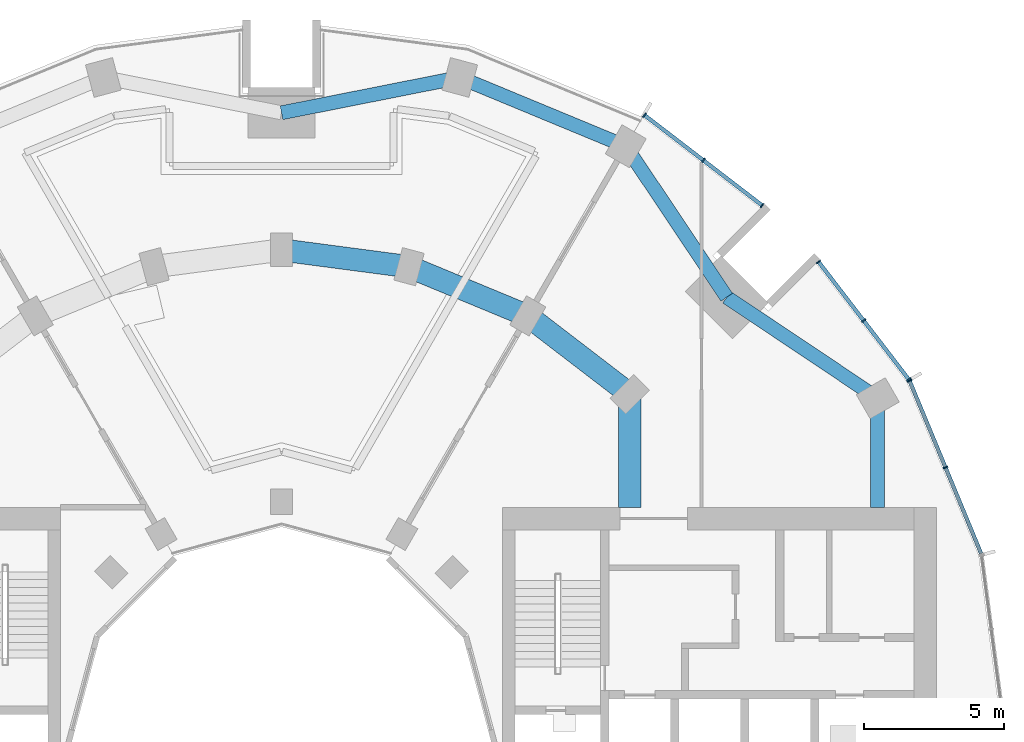
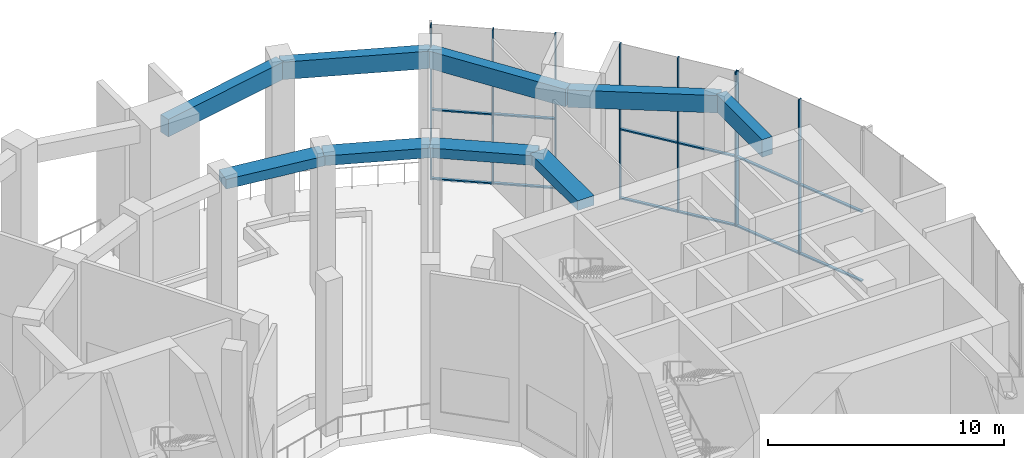
# One storey, part 8 of 18: 20 members, 9 beams, 3 elements without a shape of their own.
"""IFC4 building model written with IfcOpenShell, lengths in metres."""

from ifc_helpers import new_model, si_unit, direction, frame, origin, origin_2d, place, context, subcontext, project, spatial, rectangle, extrude, material, layer, layer_set, material_profile, profile_set, type_object, element, aggregate, save


model = new_model("IFC4")

# Units and contexts
model_context = context("Model", 3, precision=1e-05, world=origin(), true_north=direction((0.0, 1.0)))
body_context = subcontext(model_context, "Body", "Model", "MODEL_VIEW")
ifc_project = project(units=[si_unit("LENGTHUNIT", "METRE"), si_unit("AREAUNIT", "SQUARE_METRE"), si_unit("VOLUMEUNIT", "CUBIC_METRE"), si_unit("PLANEANGLEUNIT", "RADIAN"), si_unit("MASSUNIT", "GRAM", prefix="KILO")], contexts=[model_context])

# Site, building, storey
site_placement = place(None, origin())
site = spatial("IfcSite", under=ifc_project, at=site_placement, CompositionType="ELEMENT")
building_placement = place(site_placement, origin())
building = spatial("IfcBuilding", under=site, at=building_placement, Name="Torre Brocal", CompositionType="ELEMENT")
storey_placement = place(building_placement, frame((0.0, 0.0, 74.39990234375)))
storey = spatial("IfcBuildingStorey", under=building, at=storey_placement, Name="L17", CompositionType="ELEMENT", Elevation=74.39990234375)

# Curtain wall, members
ifc_material_1 = material(Name="Aluminium and glass", Category="aluminium")
ifc_layer = layer(ifc_material_1, 0.199951171875)
ifc_layer_set = layer_set([ifc_layer], Name="Aluminium and glass")
curtain_wall_type = type_object("IfcCurtainWallType", Name="CW-4 CURTAIN WALL 8000 HIGH", PredefinedType="NOTDEFINED", material=ifc_layer_set)
curtain_wall_1_placement = place(storey_placement, origin())
curtain_wall_1 = element("IfcCurtainWall", 1, at=curtain_wall_1_placement, inside=storey, type_object=curtain_wall_type, Name="CW-4 RUN 2", PredefinedType="NOTDEFINED")
ifc_material_2 = material(Name="Aluminium, dark anodised", Category="aluminium")
ifc_material_profile_1 = material_profile(ifc_material_2, rectangle(XDim=0.179931640625, YDim=0.050048828125, at=origin_2d()), Name="CW-4 MULLION 50X180")
ifc_profile_set_1 = profile_set([ifc_material_profile_1], Name="Aluminium, dark anodised")
member_type_1 = type_object("IfcMemberType", Name="CW-4 MULLION 50X180", PredefinedType="MULLION", material=ifc_profile_set_1)
member_1_placement = place(storey_placement, frame((103.722900390625, 84.826416015625, 0.0), z_axis=(0.0, 0.0, 1.0), x_axis=(-0.923879532525, -0.382683432333, 0.0)))
member_1 = element("IfcMember", 2, at=member_1_placement, type_object=member_type_1, Name="CW4-1 mullion 2", PredefinedType="MULLION", context=body_context, shape_type="SweptSolid", body=[
    extrude(rectangle(XDim=0.179931640625, YDim=0.050048828125, at=origin_2d()), origin(), (0.0, 0.0, 1.0), 8.0),
])
member_2_placement = place(storey_placement, frame((102.43896484375, 87.926513671875, 0.0), z_axis=(0.0, 0.0, 1.0), x_axis=(-0.923879532525, -0.382683432333, 0.0)))
member_2 = element("IfcMember", 3, at=member_2_placement, type_object=member_type_1, Name="CW4-1 mullion 3", PredefinedType="MULLION", context=body_context, shape_type="SweptSolid", body=[
    extrude(rectangle(XDim=0.179931640625, YDim=0.050048828125, at=origin_2d()), origin(), (0.0, 0.0, 1.0), 8.0),
])

curtain_wall_2_placement = place(storey_placement, origin())
curtain_wall_2 = element("IfcCurtainWall", 4, at=curtain_wall_2_placement, inside=storey, type_object=curtain_wall_type, Name="CW-4 RUN 3", PredefinedType="NOTDEFINED")
member_3_placement = place(storey_placement, frame((102.4140625, 87.969482421875, 0.0), z_axis=(0.0, 0.0, 1.0), x_axis=(-0.793353340259, -0.60876142905, 0.0)))
member_3 = element("IfcMember", 5, at=member_3_placement, type_object=member_type_1, Name="CW4-1 mullion 1", PredefinedType="MULLION", context=body_context, shape_type="SweptSolid", body=[
    extrude(rectangle(XDim=0.179931640625, YDim=0.050048828125, at=origin_2d()), origin(), (0.0, 0.0, 1.0), 8.0),
])
member_4_placement = place(storey_placement, frame((100.80126953125, 90.0712890625, 0.0), z_axis=(0.0, 0.0, 1.0), x_axis=(-0.793353340259, -0.60876142905, 0.0)))
member_4 = element("IfcMember", 6, at=member_4_placement, type_object=member_type_1, Name="CW4-1 mullion 2", PredefinedType="MULLION", context=body_context, shape_type="SweptSolid", body=[
    extrude(rectangle(XDim=0.179931640625, YDim=0.050048828125, at=origin_2d()), origin(), (0.0, 0.0, 1.0), 8.0),
])
member_5_placement = place(storey_placement, frame((99.188232421875, 92.17333984375, 0.0), z_axis=(0.0, 0.0, 1.0), x_axis=(-0.793353340259, -0.60876142905, 0.0)))
member_5 = element("IfcMember", 7, at=member_5_placement, type_object=member_type_1, Name="CW4-1 mullion 3", PredefinedType="MULLION", context=body_context, shape_type="SweptSolid", body=[
    extrude(rectangle(XDim=0.179931640625, YDim=0.050048828125, at=origin_2d()), origin(), (0.0, 0.0, 1.0), 8.0),
])

curtain_wall_3_placement = place(storey_placement, origin())
curtain_wall_3 = element("IfcCurtainWall", 8, at=curtain_wall_3_placement, inside=storey, type_object=curtain_wall_type, Name="CW-4 RUN 4", PredefinedType="NOTDEFINED")
member_6_placement = place(storey_placement, frame((97.17333984375, 94.188232421875, 0.0), z_axis=(0.0, 0.0, 1.0), x_axis=(-0.60876142905, -0.793353340259, 0.0)))
member_6 = element("IfcMember", 9, at=member_6_placement, type_object=member_type_1, Name="CW4-1 mullion 1", PredefinedType="MULLION", context=body_context, shape_type="SweptSolid", body=[
    extrude(rectangle(XDim=0.179931640625, YDim=0.050048828125, at=origin_2d()), origin(), (0.0, 0.0, 1.0), 8.0),
])
member_7_placement = place(storey_placement, frame((95.0712890625, 95.80126953125, 0.0), z_axis=(0.0, 0.0, 1.0), x_axis=(-0.60876142905, -0.793353340259, 0.0)))
member_7 = element("IfcMember", 10, at=member_7_placement, type_object=member_type_1, Name="CW4-1 mullion 2", PredefinedType="MULLION", context=body_context, shape_type="SweptSolid", body=[
    extrude(rectangle(XDim=0.179931640625, YDim=0.050048828125, at=origin_2d()), origin(), (0.0, 0.0, 1.0), 8.0),
])
member_8_placement = place(storey_placement, frame((92.969482421875, 97.4140625, 0.0), z_axis=(0.0, 0.0, 1.0), x_axis=(-0.60876142905, -0.793353340259, 0.0)))
member_8 = element("IfcMember", 11, at=member_8_placement, type_object=member_type_1, Name="CW4-1 mullion 3", PredefinedType="MULLION", context=body_context, shape_type="SweptSolid", body=[
    extrude(rectangle(XDim=0.179931640625, YDim=0.050048828125, at=origin_2d()), origin(), (0.0, 0.0, 1.0), 8.0),
])

# Member
ifc_material_3 = material(Name="Aluminium, dark anodised", Category="aluminium")
ifc_material_profile_2 = material_profile(ifc_material_3, rectangle(XDim=0.139892578125, YDim=0.070068359375, at=origin_2d()), Name="CW-4 TRANSOM 140X70")
ifc_profile_set_2 = profile_set([ifc_material_profile_2], Name="Aluminium, dark anodised")
member_type_2 = type_object("IfcMemberType", Name="CW-4 TRANSOM 140X70", PredefinedType="USERDEFINED", material=ifc_profile_set_2)
member_9_placement = place(storey_placement, frame((104.99755859375, 81.749267578125, 0.03515625), z_axis=(-0.382658376168, 0.92388991073, 0.0), x_axis=(-0.92388991073, -0.382658376168, 0.0)))
member_9 = element("IfcMember", 12, at=member_9_placement, type_object=member_type_2, Name="CW4-1 transom 1.1", ObjectType="TRANSOM", PredefinedType="USERDEFINED", context=body_context, shape_type="SweptSolid", body=[
    extrude(rectangle(XDim=0.139892578125, YDim=0.070068359375, at=origin_2d()), origin(), (0.0, 0.0, 1.0), 3.305419921875),
])

member_10_placement = place(storey_placement, frame((104.99755859375, 81.749267578125, 3.60009765625), z_axis=(-0.382658376168, 0.92388991073, 0.0), x_axis=(-0.92388991073, -0.382658376168, 0.0)))
member_10 = element("IfcMember", 13, at=member_10_placement, type_object=member_type_2, Name="CW4-1 transom 1.2", ObjectType="TRANSOM", PredefinedType="USERDEFINED", context=body_context, shape_type="SweptSolid", body=[
    extrude(rectangle(XDim=0.139892578125, YDim=0.070068359375, at=origin_2d()), origin(), (0.0, 0.0, 1.0), 3.305419921875),
])

member_11_placement = place(storey_placement, frame((103.71337890625, 84.849365234375, 0.03515625), z_axis=(-0.382658376168, 0.92388991073, 0.0), x_axis=(-0.92388991073, -0.382658376168, 0.0)))
member_11 = element("IfcMember", 14, at=member_11_placement, type_object=member_type_2, Name="CW4-1 transom 2.1", ObjectType="TRANSOM", PredefinedType="USERDEFINED", context=body_context, shape_type="SweptSolid", body=[
    extrude(rectangle(XDim=0.139892578125, YDim=0.070068359375, at=origin_2d()), origin(), (0.0, 0.0, 1.0), 3.305419921875),
])

member_12_placement = place(storey_placement, frame((103.71337890625, 84.849365234375, 3.60009765625), z_axis=(-0.382658376168, 0.92388991073, 0.0), x_axis=(-0.92388991073, -0.382658376168, 0.0)))
member_12 = element("IfcMember", 15, at=member_12_placement, type_object=member_type_2, Name="CW4-1 transom 2.2", ObjectType="TRANSOM", PredefinedType="USERDEFINED", context=body_context, shape_type="SweptSolid", body=[
    extrude(rectangle(XDim=0.139892578125, YDim=0.070068359375, at=origin_2d()), origin(), (0.0, 0.0, 1.0), 3.305419921875),
])

aggregate(curtain_wall_1, [member_1, member_2, member_9, member_10, member_11, member_12])

member_13_placement = place(storey_placement, frame((102.39892578125, 87.9892578125, 0.03515625), z_axis=(-0.608784419977, 0.793335698171, 0.0), x_axis=(-0.793335698171, -0.608784419977, 0.0)))
member_13 = element("IfcMember", 16, at=member_13_placement, type_object=member_type_2, Name="CW4-1 transom 1.1", ObjectType="TRANSOM", PredefinedType="USERDEFINED", context=body_context, shape_type="SweptSolid", body=[
    extrude(rectangle(XDim=0.139892578125, YDim=0.070068359375, at=origin_2d()), origin(), (0.0, 0.0, 1.0), 2.599365234375),
])

member_14_placement = place(storey_placement, frame((102.39892578125, 87.9892578125, 3.60009765625), z_axis=(-0.608784419977, 0.793335698171, 0.0), x_axis=(-0.793335698171, -0.608784419977, 0.0)))
member_14 = element("IfcMember", 17, at=member_14_placement, type_object=member_type_2, Name="CW4-1 transom 1.2", ObjectType="TRANSOM", PredefinedType="USERDEFINED", context=body_context, shape_type="SweptSolid", body=[
    extrude(rectangle(XDim=0.139892578125, YDim=0.070068359375, at=origin_2d()), origin(), (0.0, 0.0, 1.0), 2.599365234375),
])

member_15_placement = place(storey_placement, frame((100.785888671875, 90.09130859375, 0.03515625), z_axis=(-0.608725303881, 0.79338105877, 0.0), x_axis=(-0.79338105877, -0.608725303881, 0.0)))
member_15 = element("IfcMember", 18, at=member_15_placement, type_object=member_type_2, Name="CW4-1 transom 2.1", ObjectType="TRANSOM", PredefinedType="USERDEFINED", context=body_context, shape_type="SweptSolid", body=[
    extrude(rectangle(XDim=0.139892578125, YDim=0.070068359375, at=origin_2d()), origin(), (0.0, 0.0, 1.0), 2.599365234375),
])

member_16_placement = place(storey_placement, frame((100.785888671875, 90.09130859375, 3.60009765625), z_axis=(-0.608725303881, 0.79338105877, 0.0), x_axis=(-0.79338105877, -0.608725303881, 0.0)))
member_16 = element("IfcMember", 19, at=member_16_placement, type_object=member_type_2, Name="CW4-1 transom 2.2", ObjectType="TRANSOM", PredefinedType="USERDEFINED", context=body_context, shape_type="SweptSolid", body=[
    extrude(rectangle(XDim=0.139892578125, YDim=0.070068359375, at=origin_2d()), origin(), (0.0, 0.0, 1.0), 2.599365234375),
])

aggregate(curtain_wall_2, [member_3, member_4, member_5, member_13, member_14, member_15, member_16])

member_17_placement = place(storey_placement, frame((97.153564453125, 94.20361328125, 0.03515625), z_axis=(-0.79338105877, 0.608725303881, 0.0), x_axis=(-0.608725303881, -0.79338105877, 0.0)))
member_17 = element("IfcMember", 20, at=member_17_placement, type_object=member_type_2, Name="CW4-1 transom 1.1", ObjectType="TRANSOM", PredefinedType="USERDEFINED", context=body_context, shape_type="SweptSolid", body=[
    extrude(rectangle(XDim=0.139892578125, YDim=0.070068359375, at=origin_2d()), origin(), (0.0, 0.0, 1.0), 2.599365234375),
])

member_18_placement = place(storey_placement, frame((97.153564453125, 94.20361328125, 3.60009765625), z_axis=(-0.79338105877, 0.608725303881, 0.0), x_axis=(-0.608725303881, -0.79338105877, 0.0)))
member_18 = element("IfcMember", 21, at=member_18_placement, type_object=member_type_2, Name="CW4-1 transom 1.2", ObjectType="TRANSOM", PredefinedType="USERDEFINED", context=body_context, shape_type="SweptSolid", body=[
    extrude(rectangle(XDim=0.139892578125, YDim=0.070068359375, at=origin_2d()), origin(), (0.0, 0.0, 1.0), 2.599365234375),
])

member_19_placement = place(storey_placement, frame((95.051513671875, 95.81640625, 0.03515625), z_axis=(-0.793335698171, 0.608784419977, 0.0), x_axis=(-0.608784419977, -0.793335698171, 0.0)))
member_19 = element("IfcMember", 22, at=member_19_placement, type_object=member_type_2, Name="CW4-1 transom 2.1", ObjectType="TRANSOM", PredefinedType="USERDEFINED", context=body_context, shape_type="SweptSolid", body=[
    extrude(rectangle(XDim=0.139892578125, YDim=0.070068359375, at=origin_2d()), origin(), (0.0, 0.0, 1.0), 2.599365234375),
])

member_20_placement = place(storey_placement, frame((95.051513671875, 95.81640625, 3.60009765625), z_axis=(-0.793335698171, 0.608784419977, 0.0), x_axis=(-0.608784419977, -0.793335698171, 0.0)))
member_20 = element("IfcMember", 23, at=member_20_placement, type_object=member_type_2, Name="CW4-1 transom 2.2", ObjectType="TRANSOM", PredefinedType="USERDEFINED", context=body_context, shape_type="SweptSolid", body=[
    extrude(rectangle(XDim=0.139892578125, YDim=0.070068359375, at=origin_2d()), origin(), (0.0, 0.0, 1.0), 2.599365234375),
])

aggregate(curtain_wall_3, [member_6, member_7, member_8, member_17, member_18, member_19, member_20])

# Beams
ifc_material_4 = material(Name="Concrete C50", Category="concrete")
ifc_material_profile_3 = material_profile(ifc_material_4, rectangle(XDim=0.800048828125, YDim=0.5, at=origin_2d()), Name="RC 800X500")
ifc_profile_set_3 = profile_set([ifc_material_profile_3], Name="Concrete C50")
beam_type_1 = type_object("IfcBeamType", Name="RC BEAM 800X500 C50 TOP 7680", PredefinedType="BEAM", material=ifc_profile_set_3)
beam_1_placement = place(storey_placement, frame((92.445068359375, 87.445068359375, 7.43017578125), z_axis=(-0.793358265959, 0.6087550097, 0.0), x_axis=(-0.6087550097, -0.793358265959, 0.0)))
element("IfcBeam", 24, at=beam_1_placement, inside=storey, type_object=beam_type_1, Name="Beam BT-23", PredefinedType="BEAM", context=body_context, shape_type="SweptSolid", body=[
    extrude(rectangle(XDim=0.800048828125, YDim=0.5, at=origin_2d()), origin(), (0.0, 0.0, 1.0), 4.594482421875),
])
beam_2_placement = place(storey_placement, frame((88.800048828125, 90.241943359375, 7.43017578125), z_axis=(-0.923878240166, 0.382686552348, 0.0), x_axis=(-0.382686552348, -0.923878240166, 0.0)))
element("IfcBeam", 25, at=beam_2_placement, inside=storey, type_object=beam_type_1, Name="Beam BT-23", PredefinedType="BEAM", context=body_context, shape_type="SweptSolid", body=[
    extrude(rectangle(XDim=0.800048828125, YDim=0.5, at=origin_2d()), origin(), (0.0, 0.0, 1.0), 4.5947265625),
])
beam_3_placement = place(storey_placement, frame((84.55517578125, 92.000244140625, 7.43017578125), z_axis=(-0.991440544449, 0.130558978332, 0.0), x_axis=(-0.130558978332, -0.991440544449, 0.0)))
element("IfcBeam", 26, at=beam_3_placement, inside=storey, type_object=beam_type_1, Name="Beam BT-23", PredefinedType="BEAM", context=body_context, shape_type="SweptSolid", body=[
    extrude(rectangle(XDim=0.800048828125, YDim=0.5, at=origin_2d()), origin(), (0.0, 0.0, 1.0), 4.594482421875),
])
beam_4_placement = place(storey_placement, frame((92.445068359375, 87.445068359375, 7.43017578125), z_axis=(0.0, -1.0, 0.0), x_axis=(1.0, 0.0, 0.0)))
element("IfcBeam", 27, at=beam_4_placement, inside=storey, type_object=beam_type_1, Name="Beam BT-23", PredefinedType="BEAM", context=body_context, shape_type="SweptSolid", body=[
    extrude(rectangle(XDim=0.800048828125, YDim=0.5, at=origin_2d()), origin(), (0.0, 0.0, 1.0), 4.045166015625),
])
ifc_material_5 = material(Name="Concrete C50", Category="concrete")
ifc_material_profile_4 = material_profile(ifc_material_5, rectangle(XDim=0.5, YDim=0.89990234375, at=origin_2d()), Name="RC 500X900")
ifc_profile_set_4 = profile_set([ifc_material_profile_4], Name="Concrete C50")
beam_type_2 = type_object("IfcBeamType", Name="RC SPANDREL BEAM 500X900 C50 TOP 7680", PredefinedType="SPANDREL", material=ifc_profile_set_4)
for number, where, z_axis, x_axis, name in (
    (28, (101.30419921875, 87.300048828125, 7.22998046875), (-0.831076844476, 0.556157602282, 0.0), (-0.556157602282, -0.831076844476, 0.0), "Beam BT-24"),
    (29, (95.909912109375, 90.909912109375, 7.22998046875), (-0.556157602282, 0.831076844476, 0.0), (-0.831076844476, -0.556157602282, 0.0), "Beam BT-24"),
):
    element("IfcBeam", number, at=place(storey_placement, frame(where, z_axis=z_axis, x_axis=x_axis)), inside=storey, type_object=beam_type_2, Name=name, PredefinedType="SPANDREL", context=body_context, shape_type="SweptSolid", body=[
        extrude(rectangle(XDim=0.5, YDim=0.89990234375, at=origin_2d()), origin(), (0.0, 0.0, 1.0), 6.49072265625),
    ])
beam_5_placement = place(storey_placement, frame((92.300048828125, 96.30419921875, 7.22998046875), z_axis=(-0.923882462513, 0.382676358639, 0.0), x_axis=(-0.382676358639, -0.923882462513, 0.0)))
element("IfcBeam", 30, at=beam_5_placement, inside=storey, type_object=beam_type_2, Name="Beam BT-24", PredefinedType="SPANDREL", context=body_context, shape_type="SweptSolid", body=[
    extrude(rectangle(XDim=0.5, YDim=0.89990234375, at=origin_2d()), origin(), (0.0, 0.0, 1.0), 6.421875),
])
beam_6_placement = place(storey_placement, frame((86.366943359375, 98.76171875, 7.22998046875), z_axis=(-0.980924907484, -0.194387051723, 0.0), x_axis=(0.194387051723, -0.980924907484, 0.0)))
element("IfcBeam", 31, at=beam_6_placement, inside=storey, type_object=beam_type_2, Name="Beam BT-24", PredefinedType="SPANDREL", context=body_context, shape_type="SweptSolid", body=[
    extrude(rectangle(XDim=0.5, YDim=0.89990234375, at=origin_2d()), origin(), (0.0, 0.0, 1.0), 6.49072265625),
])
beam_7_placement = place(storey_placement, frame((101.30419921875, 87.300048828125, 7.22998046875), z_axis=(0.0, -1.0, 0.0), x_axis=(1.0, 0.0, 0.0)))
element("IfcBeam", 32, at=beam_7_placement, inside=storey, type_object=beam_type_2, Name="Beam BT-24", PredefinedType="SPANDREL", context=body_context, shape_type="SweptSolid", body=[
    extrude(rectangle(XDim=0.5, YDim=0.89990234375, at=origin_2d()), origin(), (0.0, 0.0, 1.0), 3.900146484375),
])

save(model, "model.ifc")
